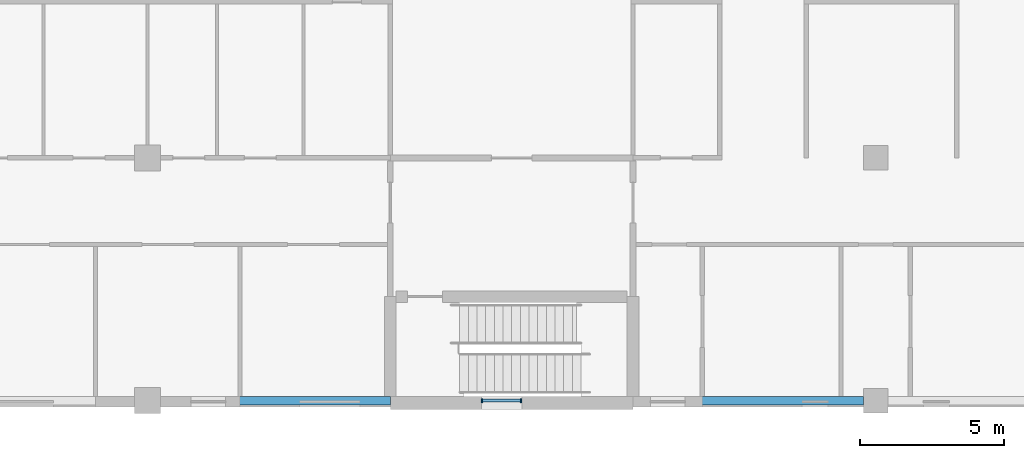
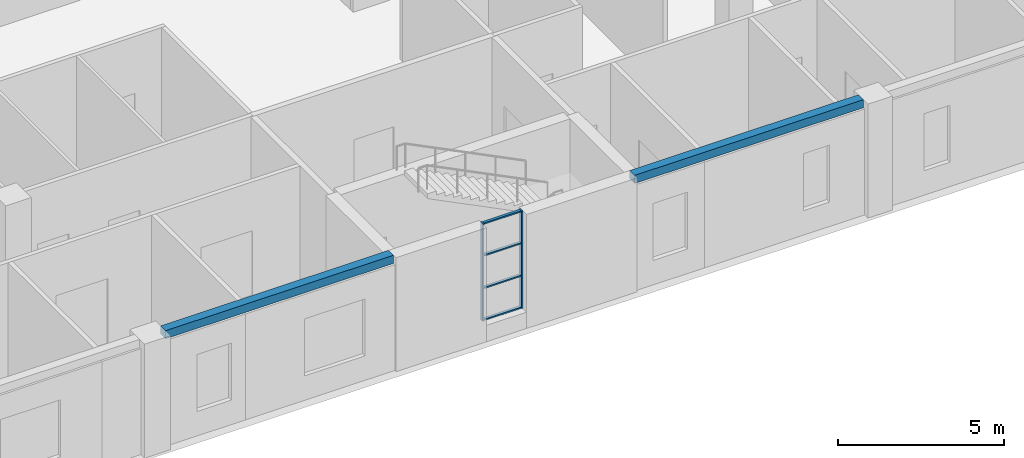
# One storey, part 19 of 66: 6 members, 2 beams, 1 element without a shape of its own.
"""IFC4 building model written with IfcOpenShell, lengths in metres."""

from ifc_helpers import new_model, si_unit, direction, frame, origin, origin_2d, place, context, subcontext, project, spatial, rectangle, extrude, material, material_profile, profile_set, type_object, element, aggregate, save


model = new_model("IFC4")

# Units and contexts
model_context = context("Model", 3, precision=1e-05, world=origin(), true_north=direction((0.0, 1.0)))
body_context = subcontext(model_context, "Body", "Model", "MODEL_VIEW")
ifc_project = project(units=[si_unit("LENGTHUNIT", "METRE"), si_unit("AREAUNIT", "SQUARE_METRE"), si_unit("VOLUMEUNIT", "CUBIC_METRE"), si_unit("PLANEANGLEUNIT", "RADIAN"), si_unit("MASSUNIT", "GRAM", prefix="KILO")], contexts=[model_context])

# Site, building, storey
site_placement = place(None, origin())
site = spatial("IfcSite", under=ifc_project, at=site_placement, CompositionType="ELEMENT")
building_placement = place(site_placement, origin())
building = spatial("IfcBuilding", under=site, at=building_placement, Name="Yavir Park General Hospital", CompositionType="ELEMENT")
storey_placement = place(building_placement, frame((0.0, 0.0, 8.39990234375)))
storey = spatial("IfcBuildingStorey", under=building, at=storey_placement, Name="L02", CompositionType="ELEMENT", Elevation=8.39990234375)

# Beams
ifc_material_1 = material(Name="Concrete C35/45", Category="concrete")
ifc_material_profile_1 = material_profile(ifc_material_1, rectangle(XDim=0.300048828125, YDim=0.300048828125, at=origin_2d()), Name="RC300x300")
ifc_profile_set_1 = profile_set([ifc_material_profile_1], Name="Concrete C35/45")
beam_type = type_object("IfcBeamType", Name="RC BEAM 300x300 edge beam", PredefinedType="BEAM", material=ifc_profile_set_1)
beam_1_placement = place(storey_placement, frame((126.449951171875, 0.0, 4.050048828125), z_axis=(1.0, 0.0, 0.0), x_axis=(0.0, 1.0, 0.0)))
element("IfcBeam", 1, at=beam_1_placement, inside=storey, type_object=beam_type, Name="B:EDGE:L02:013", PredefinedType="BEAM", context=body_context, shape_type="SweptSolid", body=[
    extrude(rectangle(XDim=0.300048828125, YDim=0.300048828125, at=origin_2d()), origin(), (0.0, 0.0, 1.0), 7.949951171875),
])
beam_2_placement = place(storey_placement, frame((142.800048828125, 0.0, 4.050048828125), z_axis=(1.0, 0.0, 0.0), x_axis=(0.0, 1.0, 0.0)))
element("IfcBeam", 2, at=beam_2_placement, inside=storey, type_object=beam_type, Name="B:EDGE:L02:014", PredefinedType="BEAM", context=body_context, shape_type="SweptSolid", body=[
    extrude(rectangle(XDim=0.300048828125, YDim=0.300048828125, at=origin_2d()), origin(), (0.0, 0.0, 1.0), 7.974853515625),
])

# Curtain wall, members
ifc_material_2 = material(Name="Aluminium curtain wall frame with insulated glazing", Category="aluminium")
curtain_wall_type = type_object("IfcCurtainWallType", Name="Stair light slot, podium, 3600 high, 1400 module", PredefinedType="NOTDEFINED", material=ifc_material_2)
curtain_wall_placement = place(storey_placement, origin())
curtain_wall = element("IfcCurtainWall", 3, at=curtain_wall_placement, inside=storey, type_object=curtain_wall_type, Name="CW57 L02-004", PredefinedType="NOTDEFINED")
ifc_material_3 = material(Name="Aluminium", Category="aluminium")
ifc_material_profile_2 = material_profile(ifc_material_3, rectangle(XDim=0.139892578125, YDim=0.050048828125, at=origin_2d()), Name="AL 50x140")
ifc_profile_set_2 = profile_set([ifc_material_profile_2], Name="Aluminium")
member_type_1 = type_object("IfcMemberType", Name="Stair light slot, podium, 3600 high mullion 50 x 140", PredefinedType="MULLION", material=ifc_profile_set_2)
member_1_placement = place(storey_placement, frame((137.574951171875, 0.0, 0.60009765625), z_axis=(0.0, 0.0, 1.0), x_axis=(0.0, 1.0, 0.0)))
member_1 = element("IfcMember", 4, at=member_1_placement, type_object=member_type_1, Name="CW57 mullion 1", PredefinedType="MULLION", context=body_context, shape_type="SweptSolid", body=[
    extrude(rectangle(XDim=0.139892578125, YDim=0.050048828125, at=origin_2d()), origin(), (0.0, 0.0, 1.0), 3.60009765625),
])
member_2_placement = place(storey_placement, frame((138.925048828125, 0.0, 0.60009765625), z_axis=(0.0, 0.0, 1.0), x_axis=(0.0, 1.0, 0.0)))
member_2 = element("IfcMember", 5, at=member_2_placement, type_object=member_type_1, Name="CW57 mullion 2", PredefinedType="MULLION", context=body_context, shape_type="SweptSolid", body=[
    extrude(rectangle(XDim=0.139892578125, YDim=0.050048828125, at=origin_2d()), origin(), (0.0, 0.0, 1.0), 3.60009765625),
])
ifc_material_4 = material(Name="Aluminium", Category="aluminium")
ifc_material_profile_3 = material_profile(ifc_material_4, rectangle(XDim=0.10009765625, YDim=0.050048828125, at=origin_2d()), Name="AL 100x50")
ifc_profile_set_3 = profile_set([ifc_material_profile_3], Name="Aluminium")
member_type_2 = type_object("IfcMemberType", Name="Stair light slot, podium, 3600 high transom 50 x 100", PredefinedType="MULLION", material=ifc_profile_set_3)
member_3_placement = place(storey_placement, frame((137.60009765625, 0.0, 0.625), z_axis=(1.0, 0.0, 0.0), x_axis=(0.0, 1.0, 0.0)))
member_3 = element("IfcMember", 6, at=member_3_placement, type_object=member_type_2, Name="CW57 transom 1.1", PredefinedType="MULLION", context=body_context, shape_type="SweptSolid", body=[
    extrude(rectangle(XDim=0.10009765625, YDim=0.050048828125, at=origin_2d()), origin(), (0.0, 0.0, 1.0), 1.2998046875),
])
member_4_placement = place(storey_placement, frame((137.60009765625, 0.0, 1.800048828125), z_axis=(1.0, 0.0, 0.0), x_axis=(0.0, 1.0, 0.0)))
member_4 = element("IfcMember", 7, at=member_4_placement, type_object=member_type_2, Name="CW57 transom 1.2", PredefinedType="MULLION", context=body_context, shape_type="SweptSolid", body=[
    extrude(rectangle(XDim=0.10009765625, YDim=0.050048828125, at=origin_2d()), origin(), (0.0, 0.0, 1.0), 1.2998046875),
])
member_5_placement = place(storey_placement, frame((137.60009765625, 0.0, 3.0), z_axis=(1.0, 0.0, 0.0), x_axis=(0.0, 1.0, 0.0)))
member_5 = element("IfcMember", 8, at=member_5_placement, type_object=member_type_2, Name="CW57 transom 1.3", PredefinedType="MULLION", context=body_context, shape_type="SweptSolid", body=[
    extrude(rectangle(XDim=0.10009765625, YDim=0.050048828125, at=origin_2d()), origin(), (0.0, 0.0, 1.0), 1.2998046875),
])
member_6_placement = place(storey_placement, frame((137.60009765625, 0.0, 4.175048828125), z_axis=(1.0, 0.0, 0.0), x_axis=(0.0, 1.0, 0.0)))
member_6 = element("IfcMember", 9, at=member_6_placement, type_object=member_type_2, Name="CW57 transom 1.4", PredefinedType="MULLION", context=body_context, shape_type="SweptSolid", body=[
    extrude(rectangle(XDim=0.10009765625, YDim=0.050048828125, at=origin_2d()), origin(), (0.0, 0.0, 1.0), 1.2998046875),
])
aggregate(curtain_wall, [member_1, member_2, member_3, member_4, member_5, member_6])

save(model, "model.ifc")
